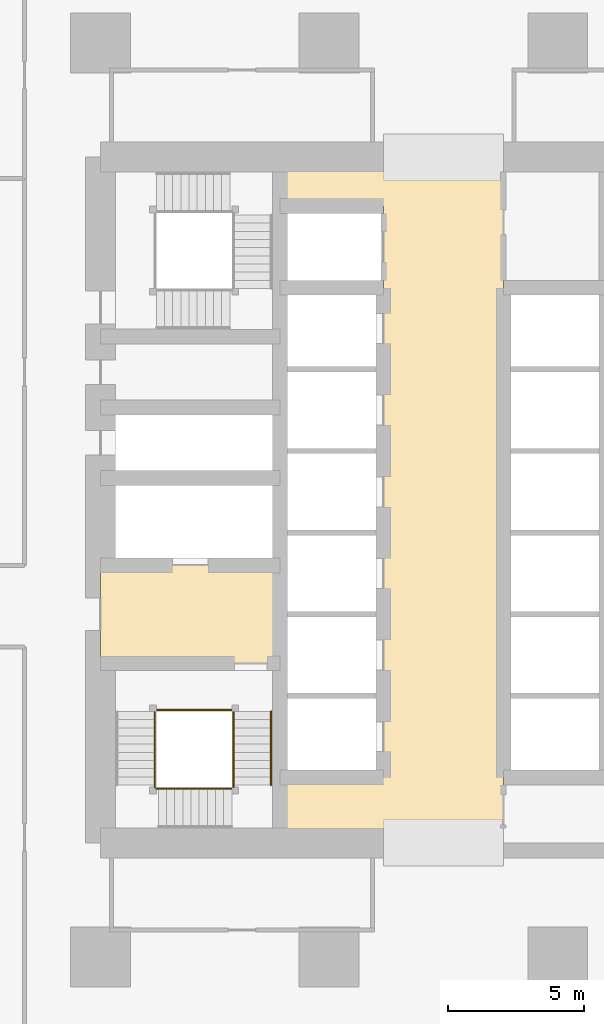
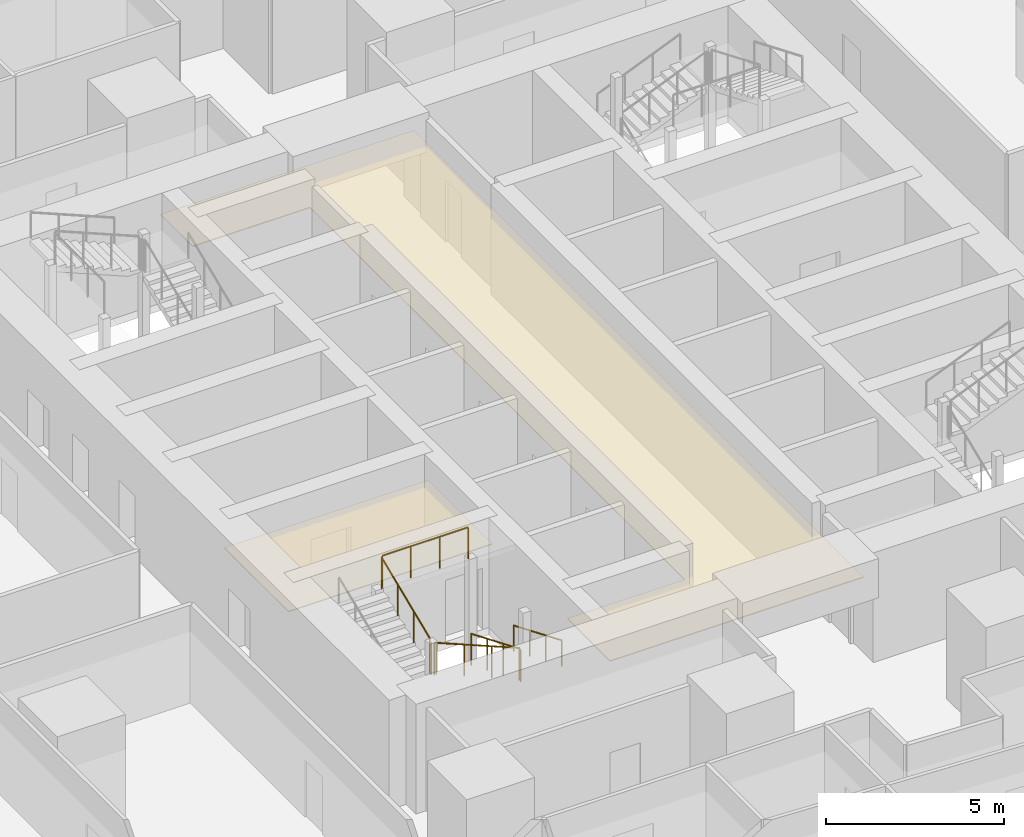
# One storey, part 38 of 45: 8 railings, 2 coverings.
"""IFC4 building model written with IfcOpenShell, lengths in metres."""

from ifc_helpers import new_model, si_unit, direction, frame, origin, origin_2d, place, context, subcontext, project, spatial, polyline, circle, outline, extrude, material, layer, layer_set, type_object, element, save


model = new_model("IFC4")

# Units and contexts
model_context = context("Model", 3, precision=1e-05, world=origin(), true_north=direction((0.0, 1.0)))
body_context = subcontext(model_context, "Body", "Model", "MODEL_VIEW")
ifc_project = project(units=[si_unit("LENGTHUNIT", "METRE"), si_unit("AREAUNIT", "SQUARE_METRE"), si_unit("VOLUMEUNIT", "CUBIC_METRE"), si_unit("PLANEANGLEUNIT", "RADIAN"), si_unit("MASSUNIT", "GRAM", prefix="KILO")], contexts=[model_context])

# Site, building, storey
site_placement = place(None, origin())
site = spatial("IfcSite", under=ifc_project, at=site_placement, CompositionType="ELEMENT")
building_placement = place(site_placement, origin())
building = spatial("IfcBuilding", under=site, at=building_placement, Name="Rekha Terrace Tower", CompositionType="ELEMENT")
storey_placement = place(building_placement, frame((0.0, 0.0, 32.89990234375)))
storey = spatial("IfcBuildingStorey", under=building, at=storey_placement, Name="L07", CompositionType="ELEMENT", Elevation=32.89990234375)

# Coverings
ifc_material_1 = material(Name="Powder-coated aluminium pan", Category="aluminium")
ifc_layer = layer(ifc_material_1, 0.030029296875)
ifc_layer_set = layer_set([ifc_layer], Name="Powder-coated aluminium pan")
covering_type = type_object("IfcCoveringType", Name="CL3 300x1200 metal pan ceiling", PredefinedType="CEILING", material=ifc_layer_set)
covering_1_placement = place(storey_placement, frame((0.0, 0.0, 2.570068359375)))
element("IfcCovering", 1, at=covering_1_placement, inside=storey, type_object=covering_type, Name="Ceiling L07-LOBBY", PredefinedType="CEILING", context=body_context, shape_type="SweptSolid", body=[
    extrude(outline(polyline([(35.60009765625, 44.39990234375), (35.60009765625, 23.39990234375), (31.800048828125, 23.39990234375), (31.800048828125, 21.0), (40.0, 21.0), (40.0, 46.199951171875), (31.800048828125, 46.199951171875), (31.800048828125, 44.39990234375), (35.60009765625, 44.39990234375)])), origin(), (0.0, 0.0, 1.0), 0.030029296875),
])
covering_2_placement = place(storey_placement, frame((0.0, 0.0, 2.570068359375)))
element("IfcCovering", 2, at=covering_2_placement, inside=storey, type_object=covering_type, Name="Ceiling L07-FLB1", PredefinedType="CEILING", context=body_context, shape_type="SweptSolid", body=[
    extrude(outline(polyline([(31.800048828125, 31.199951171875), (25.199951171875, 31.199951171875), (25.199951171875, 27.60009765625), (31.800048828125, 27.60009765625), (31.800048828125, 31.199951171875)])), origin(), (0.0, 0.0, 1.0), 0.030029296875),
])

# Railings
ifc_material_2 = material(Name="Stainless steel balustrade", Category="steel")
railing_type_1 = type_object("IfcRailingType", Name="GR1 1100 stair guard", PredefinedType="GUARDRAIL", material=ifc_material_2)
railing_1_placement = place(storey_placement, frame((30.0849609375, 25.824951171875, 0.125)))
element("IfcRailing", 3, at=railing_1_placement, inside=storey, type_object=railing_type_1, Name="Guard ST1 L07 flight 1", PredefinedType="GUARDRAIL", context=body_context, shape_type="SweptSolid", body=[
    extrude(circle(Radius=0.02392578125, at=origin_2d()), frame((0.0, 0.0, 1.076171875), z_axis=(0.0, -0.923074453586, 0.384621311341), x_axis=(1.0, 0.0, 0.0)), (0.0, 0.0, 1.0), 2.925048828125),
    extrude(circle(Radius=0.02099609375, at=origin_2d()), origin(), (0.0, 0.0, 1.0), 1.052001953125),
    extrude(circle(Radius=0.02099609375, at=origin_2d()), frame((0.0, -0.89990234375, 0.375)), (0.0, 0.0, 1.0), 1.052001953125),
    extrude(circle(Radius=0.02099609375, at=origin_2d()), frame((0.0, -1.800048828125, 0.75)), (0.0, 0.0, 1.0), 1.052001953125),
    extrude(circle(Radius=0.02099609375, at=origin_2d()), frame((0.0, -2.699951171875, 1.125)), (0.0, 0.0, 1.0), 1.052001953125),
])
railing_2_placement = place(storey_placement, frame((30.02490234375, 22.989990234375, 1.375)))
element("IfcRailing", 4, at=railing_2_placement, inside=storey, type_object=railing_type_1, Name="Guard ST1 L07 flight 2", PredefinedType="GUARDRAIL", context=body_context, shape_type="SweptSolid", body=[
    extrude(circle(Radius=0.02392578125, at=origin_2d()), frame((0.0, 0.0, 1.076171875), z_axis=(-0.923074453586, 0.0, 0.384621311341), x_axis=(0.0, -1.0, 0.0)), (0.0, 0.0, 1.0), 2.925048828125),
    extrude(circle(Radius=0.02099609375, at=origin_2d()), origin(), (0.0, 0.0, 1.0), 1.052001953125),
    extrude(circle(Radius=0.02099609375, at=origin_2d()), frame((-0.89990234375, 0.0, 0.375)), (0.0, 0.0, 1.0), 1.052001953125),
    extrude(circle(Radius=0.02099609375, at=origin_2d()), frame((-1.800048828125, 0.0, 0.75)), (0.0, 0.0, 1.0), 1.052001953125),
    extrude(circle(Radius=0.02099609375, at=origin_2d()), frame((-2.699951171875, 0.0, 1.125)), (0.0, 0.0, 1.0), 1.052001953125),
])
railing_3_placement = place(storey_placement, frame((27.18994140625, 23.125, 2.625)))
element("IfcRailing", 5, at=railing_3_placement, inside=storey, type_object=railing_type_1, Name="Guard ST1 L07 flight 3", PredefinedType="GUARDRAIL", context=body_context, shape_type="SweptSolid", body=[
    extrude(circle(Radius=0.02392578125, at=origin_2d()), frame((0.0, 0.0, 1.076171875), z_axis=(0.0, 0.923074453586, 0.384621311341), x_axis=(-1.0, 0.0, 0.0)), (0.0, 0.0, 1.0), 2.925048828125),
    extrude(circle(Radius=0.02099609375, at=origin_2d()), origin(), (0.0, 0.0, 1.0), 1.052001953125),
    extrude(circle(Radius=0.02099609375, at=origin_2d()), frame((0.0, 0.89990234375, 0.375)), (0.0, 0.0, 1.0), 1.052001953125),
    extrude(circle(Radius=0.02099609375, at=origin_2d()), frame((0.0, 1.800048828125, 0.75)), (0.0, 0.0, 1.0), 1.052001953125),
    extrude(circle(Radius=0.02099609375, at=origin_2d()), frame((0.0, 2.699951171875, 1.125)), (0.0, 0.0, 1.0), 1.052001953125),
])
railing_4_placement = place(storey_placement, frame((30.0849609375, 23.125, 1.25)))
element("IfcRailing", 6, at=railing_4_placement, inside=storey, type_object=railing_type_1, Name="Guard ST1 L07 landing 1", PredefinedType="GUARDRAIL", context=body_context, shape_type="SweptSolid", body=[
    extrude(circle(Radius=0.02392578125, at=origin_2d()), frame((0.0, 0.0, 1.076171875), z_axis=(0.0, -1.0, 0.0), x_axis=(1.0, 0.0, 0.0)), (0.0, 0.0, 1.0), 0.074951171875),
    extrude(circle(Radius=0.02099609375, at=origin_2d()), origin(), (0.0, 0.0, 1.0), 1.052001953125),
    extrude(circle(Radius=0.02099609375, at=origin_2d()), frame((0.0, -0.074951171875, 0.0)), (0.0, 0.0, 1.0), 1.052001953125),
])
railing_5_placement = place(storey_placement, frame((27.324951171875, 22.989990234375, 2.5)))
element("IfcRailing", 7, at=railing_5_placement, inside=storey, type_object=railing_type_1, Name="Guard ST1 L07 landing 2", PredefinedType="GUARDRAIL", context=body_context, shape_type="SweptSolid", body=[
    extrude(circle(Radius=0.02392578125, at=origin_2d()), frame((0.0, 0.0, 1.076171875), z_axis=(-1.0, 0.0, 0.0), x_axis=(0.0, -1.0, 0.0)), (0.0, 0.0, 1.0), 0.074951171875),
    extrude(circle(Radius=0.02099609375, at=origin_2d()), origin(), (0.0, 0.0, 1.0), 1.052001953125),
    extrude(circle(Radius=0.02099609375, at=origin_2d()), frame((-0.074951171875, 0.0, 0.0)), (0.0, 0.0, 1.0), 1.052001953125),
])
railing_6_placement = place(storey_placement, frame((27.18994140625, 23.125, 2.5)))
element("IfcRailing", 8, at=railing_6_placement, inside=storey, type_object=railing_type_1, Name="Guard ST1 L07 landing 3", PredefinedType="GUARDRAIL", context=body_context, shape_type="SweptSolid", body=[
    extrude(circle(Radius=0.02392578125, at=origin_2d()), frame((0.0, 0.0, 1.076171875), z_axis=(0.0, -1.0, 0.0), x_axis=(1.0, 0.0, 0.0)), (0.0, 0.0, 1.0), 0.074951171875),
    extrude(circle(Radius=0.02099609375, at=origin_2d()), origin(), (0.0, 0.0, 1.0), 1.052001953125),
    extrude(circle(Radius=0.02099609375, at=origin_2d()), frame((0.0, -0.074951171875, 0.0)), (0.0, 0.0, 1.0), 1.052001953125),
])
railing_7_placement = place(storey_placement, frame((30.02490234375, 25.885009765625, 3.75)))
element("IfcRailing", 9, at=railing_7_placement, inside=storey, type_object=railing_type_1, Name="Guard ST1 L07 landing 4", PredefinedType="GUARDRAIL", context=body_context, shape_type="SweptSolid", body=[
    extrude(circle(Radius=0.02392578125, at=origin_2d()), frame((0.0, 0.0, 1.076171875), z_axis=(-1.0, 0.0, 0.0), x_axis=(0.0, -1.0, 0.0)), (0.0, 0.0, 1.0), 2.77490234375),
    extrude(circle(Radius=0.02099609375, at=origin_2d()), origin(), (0.0, 0.0, 1.0), 1.052001953125),
    extrude(circle(Radius=0.02099609375, at=origin_2d()), frame((-0.925048828125, 0.0, 0.0)), (0.0, 0.0, 1.0), 1.052001953125),
    extrude(circle(Radius=0.02099609375, at=origin_2d()), frame((-1.849853515625, 0.0, 0.0)), (0.0, 0.0, 1.0), 1.052001953125),
    extrude(circle(Radius=0.02099609375, at=origin_2d()), frame((-2.77490234375, 0.0, 0.0)), (0.0, 0.0, 1.0), 1.052001953125),
])
ifc_material_3 = material(Name="Stainless steel tube", Category="steel")
railing_type_2 = type_object("IfcRailingType", Name="HR1 900 stair handrail", PredefinedType="HANDRAIL", material=ifc_material_3)
railing_8_placement = place(storey_placement, frame((31.465087890625, 25.824951171875, 0.125)))
element("IfcRailing", 10, at=railing_8_placement, inside=storey, type_object=railing_type_2, Name="Handrail ST1 L07 flight 1", PredefinedType="HANDRAIL", context=body_context, shape_type="SweptSolid", body=[
    extrude(circle(Radius=0.02392578125, at=origin_2d()), frame((0.0, 0.0, 0.8759765625), z_axis=(0.0, -0.923074453586, 0.384621311341), x_axis=(1.0, 0.0, 0.0)), (0.0, 0.0, 1.0), 2.925048828125),
    extrude(circle(Radius=0.02099609375, at=origin_2d()), origin(), (0.0, 0.0, 1.0), 0.851806640625),
    extrude(circle(Radius=0.02099609375, at=origin_2d()), frame((0.0, -0.89990234375, 0.375)), (0.0, 0.0, 1.0), 0.851806640625),
    extrude(circle(Radius=0.02099609375, at=origin_2d()), frame((0.0, -1.800048828125, 0.75)), (0.0, 0.0, 1.0), 0.851806640625),
    extrude(circle(Radius=0.02099609375, at=origin_2d()), frame((0.0, -2.699951171875, 1.125)), (0.0, 0.0, 1.0), 0.851806640625),
])

save(model, "model.ifc")
